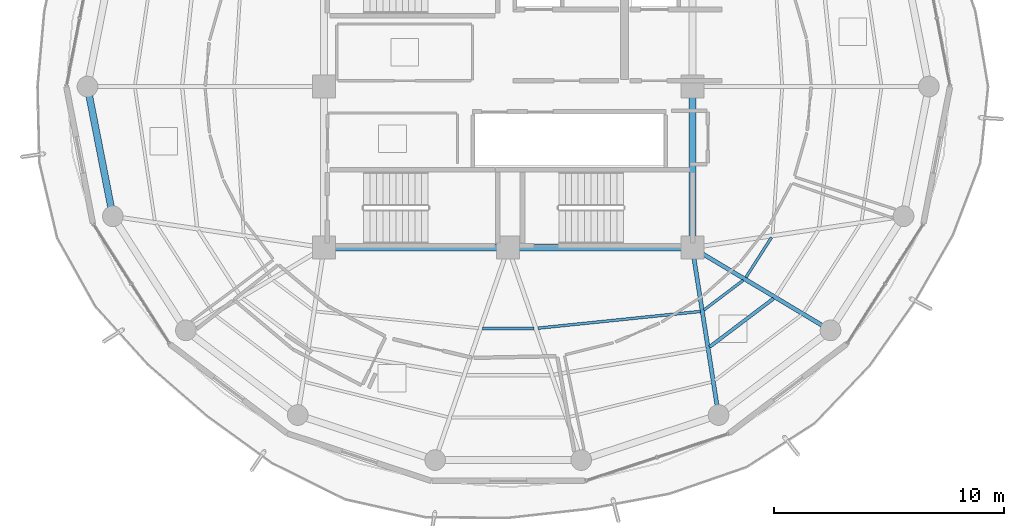
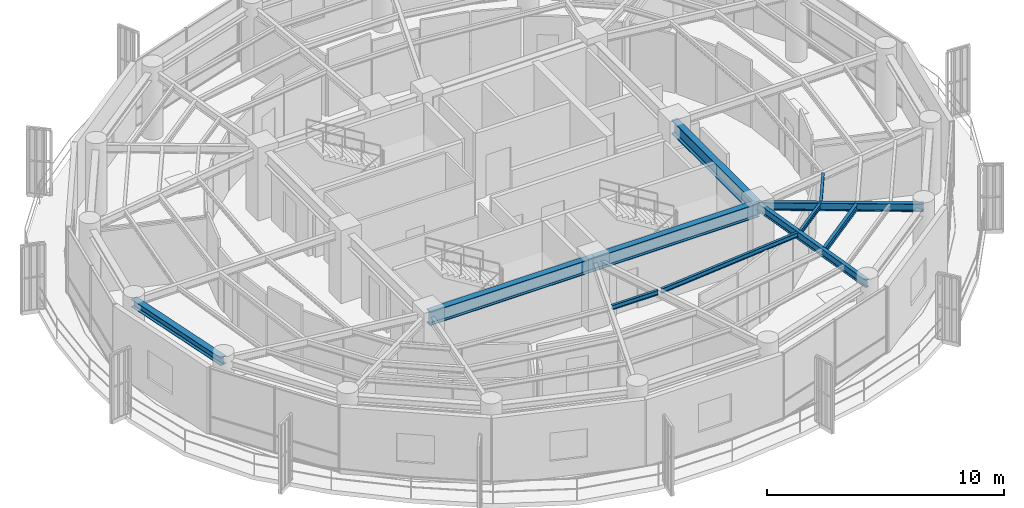
# One storey, part 6 of 23: 11 beams.
"""IFC4 building model written with IfcOpenShell, lengths in metres."""

from ifc_helpers import new_model, si_unit, direction, frame, origin, origin_2d, place, context, subcontext, project, spatial, i_section, extrude, material, material_profile, profile_set, type_object, element, save


model = new_model("IFC4")

# Units and contexts
model_context = context("Model", 3, precision=1e-05, world=origin(), true_north=direction((0.0, 1.0)))
body_context = subcontext(model_context, "Body", "Model", "MODEL_VIEW")
ifc_project = project(units=[si_unit("LENGTHUNIT", "METRE"), si_unit("AREAUNIT", "SQUARE_METRE"), si_unit("VOLUMEUNIT", "CUBIC_METRE"), si_unit("PLANEANGLEUNIT", "RADIAN"), si_unit("MASSUNIT", "GRAM", prefix="KILO")], contexts=[model_context])

# Site, building, storey
site_placement = place(None, origin())
site = spatial("IfcSite", under=ifc_project, at=site_placement, CompositionType="ELEMENT")
building_placement = place(site_placement, origin())
building = spatial("IfcBuilding", under=site, at=building_placement, Name="Kelanora Arch Commons", CompositionType="ELEMENT")
storey_placement = place(building_placement, frame((0.0, 0.0, 289.949951171875)))
storey = spatial("IfcBuildingStorey", under=building, at=storey_placement, Name="L74", CompositionType="ELEMENT", Elevation=289.949951171875)

# Beams
ifc_material = material(Name="Steel S355", Category="steel")
ifc_material_profile_1 = material_profile(ifc_material, i_section(OverallWidth=0.300048828125, OverallDepth=0.699951171875, WebThickness=0.01708984375, FlangeThickness=0.031982421875, FilletRadius=0.027099609375, at=origin_2d()), Name="HEB700")
ifc_profile_set_1 = profile_set([ifc_material_profile_1], Name="Steel S355")
beam_type_1 = type_object("IfcBeamType", Name="BM-CORE-HDR", PredefinedType="BEAM", material=ifc_profile_set_1)
for number, where, z_axis, x_axis, name in (
    (1, (66.0, 51.0, 3.080078125), (1.0, 0.0, 0.0), (0.0, 1.0, 0.0), "Core Header Beam 01 L74"),
    (2, (74.0, 51.0, 3.080078125), (1.0, 0.0, 0.0), (0.0, 1.0, 0.0), "Core Header Beam 02 L74"),
):
    element("IfcBeam", number, at=place(storey_placement, frame(where, z_axis=z_axis, x_axis=x_axis)), inside=storey, type_object=beam_type_1, Name=name, PredefinedType="BEAM", context=body_context, shape_type="SweptSolid", body=[
        extrude(i_section(OverallWidth=0.300048828125, OverallDepth=0.699951171875, WebThickness=0.01708984375, FlangeThickness=0.031982421875, FilletRadius=0.027099609375, at=origin_2d()), origin(), (0.0, 0.0, 1.0), 8.0),
    ])
beam_1_placement = place(storey_placement, frame((82.0, 51.0, 3.080078125), z_axis=(0.0, 1.0, 0.0), x_axis=(-1.0, 0.0, 0.0)))
element("IfcBeam", 3, at=beam_1_placement, inside=storey, type_object=beam_type_1, Name="Core Header Beam 03 L74", PredefinedType="BEAM", context=body_context, shape_type="SweptSolid", body=[
    extrude(i_section(OverallWidth=0.300048828125, OverallDepth=0.699951171875, WebThickness=0.01708984375, FlangeThickness=0.031982421875, FilletRadius=0.027099609375, at=origin_2d()), origin(), (0.0, 0.0, 1.0), 7.0),
])
ifc_material_profile_2 = material_profile(ifc_material, i_section(OverallWidth=0.14990234375, OverallDepth=0.300048828125, WebThickness=0.007080078125, FlangeThickness=0.0107421875, FilletRadius=0.014892578125, at=origin_2d()), Name="IPE300")
ifc_profile_set_2 = profile_set([ifc_material_profile_2], Name="Steel S355")
beam_type_2 = type_object("IfcBeamType", Name="BM-JST-01", PredefinedType="JOIST", material=ifc_profile_set_2)
beam_2_placement = place(storey_placement, frame((82.751708984375, 46.68798828125, 3.280029296875), z_axis=(0.797499198801, 0.603320004568, 0.0), x_axis=(-0.603320004568, 0.797499198801, 0.0)))
element("IfcBeam", 4, at=beam_2_placement, inside=storey, type_object=beam_type_2, Name="Secondary Chord Joist BJB-30 L74", PredefinedType="JOIST", context=body_context, shape_type="SweptSolid", body=[
    extrude(i_section(OverallWidth=0.14990234375, OverallDepth=0.300048828125, WebThickness=0.007080078125, FlangeThickness=0.0107421875, FilletRadius=0.014892578125, at=origin_2d()), origin(), (0.0, 0.0, 1.0), 3.489013671875),
])
ifc_material_profile_3 = material_profile(ifc_material, i_section(OverallWidth=0.1201171875, OverallDepth=0.239990234375, WebThickness=0.006103515625, FlangeThickness=0.009765625, FilletRadius=0.014892578125, at=origin_2d()), Name="IPE240")
ifc_profile_set_3 = profile_set([ifc_material_profile_3], Name="Steel S355")
beam_type_3 = type_object("IfcBeamType", Name="BM-JST-02", PredefinedType="JOIST", material=ifc_profile_set_3)
beam_3_placement = place(storey_placement, frame((72.87890625, 47.492919921875, 3.31005859375), z_axis=(1.0, 0.0, 0.0), x_axis=(0.0, 1.0, 0.0)))
element("IfcBeam", 5, at=beam_3_placement, inside=storey, type_object=beam_type_3, Name="Secondary Chord Joist BJA-26 L74", PredefinedType="JOIST", context=body_context, shape_type="SweptSolid", body=[
    extrude(i_section(OverallWidth=0.1201171875, OverallDepth=0.239990234375, WebThickness=0.006103515625, FlangeThickness=0.009765625, FilletRadius=0.014892578125, at=origin_2d()), origin(), (0.0, 0.0, 1.0), 2.2421875),
])
beam_4_placement = place(storey_placement, frame((75.290771484375, 47.50146484375, 3.31005859375), z_axis=(0.994746545688, 0.102368500239, 0.0), x_axis=(-0.102368500239, 0.994746545688, 0.0)))
element("IfcBeam", 6, at=beam_4_placement, inside=storey, type_object=beam_type_3, Name="Secondary Chord Joist BJA-28 L74", PredefinedType="JOIST", context=body_context, shape_type="SweptSolid", body=[
    extrude(i_section(OverallWidth=0.1201171875, OverallDepth=0.239990234375, WebThickness=0.006103515625, FlangeThickness=0.009765625, FilletRadius=0.014892578125, at=origin_2d()), origin(), (0.0, 0.0, 1.0), 7.09521484375),
])
beam_5_placement = place(storey_placement, frame((82.5009765625, 48.287841796875, 3.31005859375), z_axis=(0.797509883882, 0.603305880222, 0.0), x_axis=(-0.603305880222, 0.797509883882, 0.0)))
element("IfcBeam", 7, at=beam_5_placement, inside=storey, type_object=beam_type_3, Name="Secondary Chord Joist BJA-30 L74", PredefinedType="JOIST", context=body_context, shape_type="SweptSolid", body=[
    extrude(i_section(OverallWidth=0.1201171875, OverallDepth=0.239990234375, WebThickness=0.006103515625, FlangeThickness=0.009765625, FilletRadius=0.014892578125, at=origin_2d()), origin(), (0.0, 0.0, 1.0), 2.147216796875),
])
beam_6_placement = place(storey_placement, frame((84.3271484375, 49.706298828125, 3.31005859375), z_axis=(0.539311810315, 0.842106152011, 0.0), x_axis=(-0.842106152011, 0.539311810315, 0.0)))
element("IfcBeam", 8, at=beam_6_placement, inside=storey, type_object=beam_type_3, Name="Secondary Chord Joist BJA-32 L74", PredefinedType="JOIST", context=body_context, shape_type="SweptSolid", body=[
    extrude(i_section(OverallWidth=0.1201171875, OverallDepth=0.239990234375, WebThickness=0.006103515625, FlangeThickness=0.009765625, FilletRadius=0.014892578125, at=origin_2d()), origin(), (0.0, 0.0, 1.0), 2.06640625),
])
ifc_material_profile_4 = material_profile(ifc_material, i_section(OverallWidth=0.179931640625, OverallDepth=0.39990234375, WebThickness=0.008544921875, FlangeThickness=0.013427734375, FilletRadius=0.02099609375, at=origin_2d()), Name="IPE400")
ifc_profile_set_4 = profile_set([ifc_material_profile_4], Name="Steel S355")
beam_type_4 = type_object("IfcBeamType", Name="BM-RAD-Z5", PredefinedType="BEAM", material=ifc_profile_set_4)
beam_7_placement = place(storey_placement, frame((82.0, 51.0, 3.22998046875), z_axis=(0.154855424129, -0.987937142544, 0.0), x_axis=(0.987937142544, 0.154855424129, 0.0)))
element("IfcBeam", 9, at=beam_7_placement, inside=storey, type_object=beam_type_4, Name="Radial Floor Girder BR-30 L74", PredefinedType="BEAM", context=body_context, shape_type="SweptSolid", body=[
    extrude(i_section(OverallWidth=0.179931640625, OverallDepth=0.39990234375, WebThickness=0.008544921875, FlangeThickness=0.013427734375, FilletRadius=0.02099609375, at=origin_2d()), origin(), (0.0, 0.0, 1.0), 7.361083984375),
])
beam_8_placement = place(storey_placement, frame((82.0, 51.0, 3.22998046875), z_axis=(0.858062005744, -0.513546097541, 0.0), x_axis=(0.513546097541, 0.858062005744, 0.0)))
element("IfcBeam", 10, at=beam_8_placement, inside=storey, type_object=beam_type_4, Name="Radial Floor Girder BR-32 L74", PredefinedType="BEAM", context=body_context, shape_type="SweptSolid", body=[
    extrude(i_section(OverallWidth=0.179931640625, OverallDepth=0.39990234375, WebThickness=0.008544921875, FlangeThickness=0.013427734375, FilletRadius=0.02099609375, at=origin_2d()), origin(), (0.0, 0.0, 1.0), 6.99658203125),
])
ifc_material_profile_5 = material_profile(ifc_material, i_section(OverallWidth=0.300048828125, OverallDepth=0.39990234375, WebThickness=0.013427734375, FlangeThickness=0.02392578125, FilletRadius=0.027099609375, at=origin_2d()), Name="HEB400")
ifc_profile_set_5 = profile_set([ifc_material_profile_5], Name="Steel S355")
beam_type_5 = type_object("IfcBeamType", Name="BM-SPN-Z4", PredefinedType="SPANDREL", material=ifc_profile_set_5)
beam_9_placement = place(storey_placement, frame((55.719970703125, 58.0, 3.22998046875), z_axis=(0.191969774604, -0.981400838413, 0.0), x_axis=(0.981400838413, 0.191969774604, 0.0)))
element("IfcBeam", 11, at=beam_9_placement, inside=storey, type_object=beam_type_5, Name="Perimeter Spandrel Beam BS-18 L74", PredefinedType="SPANDREL", context=body_context, shape_type="SweptSolid", body=[
    extrude(i_section(OverallWidth=0.300048828125, OverallDepth=0.39990234375, WebThickness=0.013427734375, FlangeThickness=0.02392578125, FilletRadius=0.027099609375, at=origin_2d()), origin(), (0.0, 0.0, 1.0), 5.743408203125),
])

save(model, "model.ifc")
